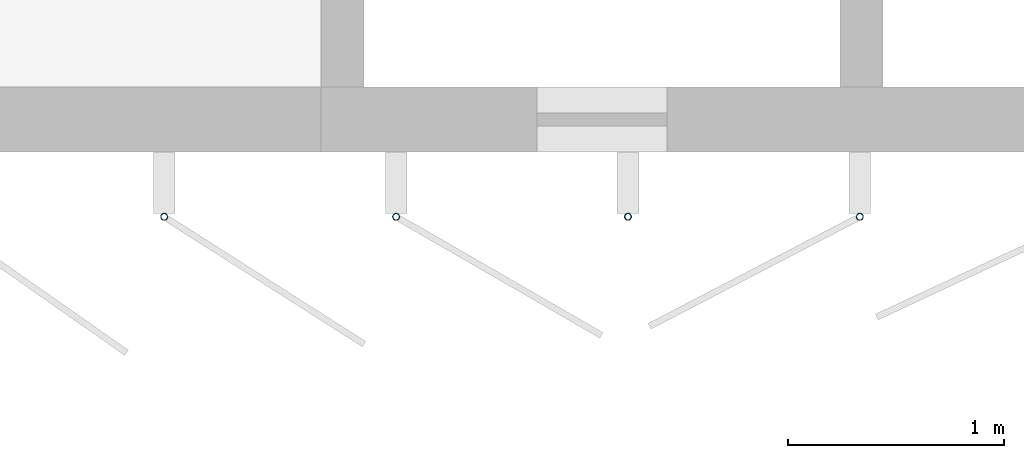
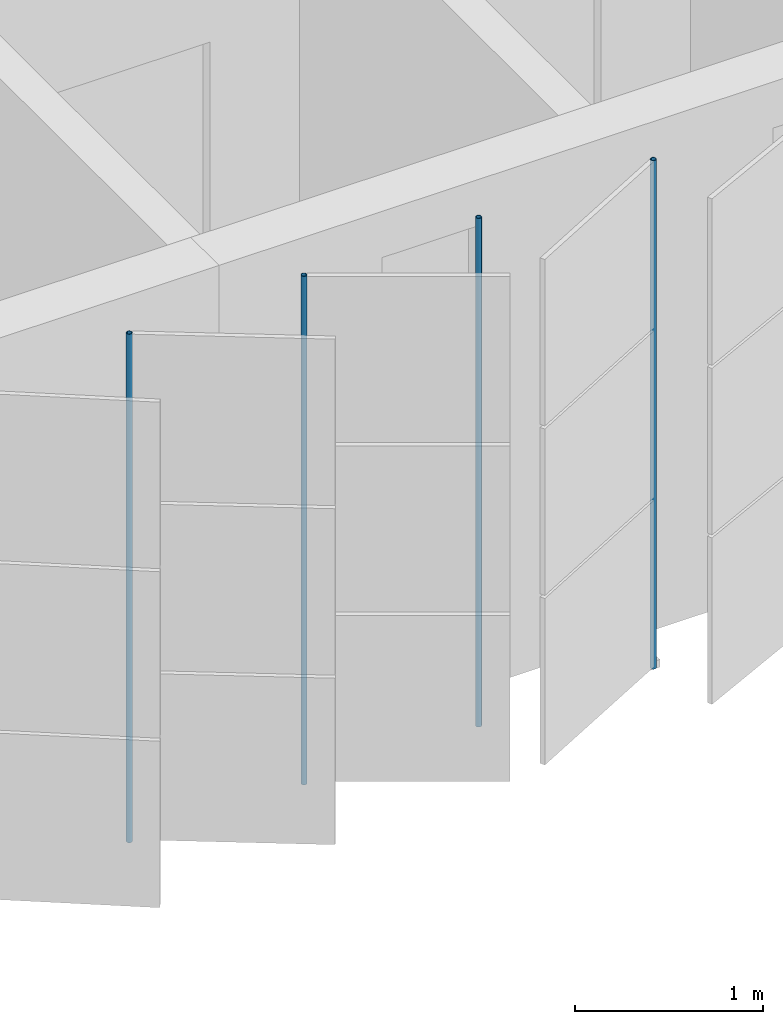
# One storey, part 102 of 214: 4 discrete accessories.
"""IFC4 building model written with IfcOpenShell, lengths in metres."""

from ifc_helpers import new_model, si_unit, direction, frame, origin, origin_2d, place, context, subcontext, project, spatial, hollow_circle, extrude, material, material_profile, profile_set, type_object, element, save


model = new_model("IFC4")

# Units and contexts
model_context = context("Model", 3, precision=1e-05, world=origin(), true_north=direction((0.0, 1.0)))
body_context = subcontext(model_context, "Body", "Model", "MODEL_VIEW")
ifc_project = project(units=[si_unit("LENGTHUNIT", "METRE"), si_unit("AREAUNIT", "SQUARE_METRE"), si_unit("VOLUMEUNIT", "CUBIC_METRE"), si_unit("PLANEANGLEUNIT", "RADIAN"), si_unit("MASSUNIT", "GRAM", prefix="KILO")], contexts=[model_context])

# Site, building, storey
site_placement = place(None, origin())
site = spatial("IfcSite", under=ifc_project, at=site_placement, CompositionType="ELEMENT")
building_placement = place(site_placement, origin())
building = spatial("IfcBuilding", under=site, at=building_placement, Name="Parallax Yard Mobility Hub", CompositionType="ELEMENT")
storey_placement = place(building_placement, frame((0.0, 0.0, 3.300048828125)))
storey = spatial("IfcBuildingStorey", under=building, at=storey_placement, Name="L01", CompositionType="ELEMENT", Elevation=3.300048828125)

# Discrete accessories
ifc_material = material(Name="Steel ASTM A500 Gr C, hot-dip galvanised", Category="steel")
ifc_material_profile = material_profile(ifc_material, hollow_circle(Radius=0.016845703125, WallThickness=0.003173828125, at=origin_2d()), Name="CHS 33.7x3.2")
ifc_profile_set = profile_set([ifc_material_profile], Name="Steel ASTM A500 Gr C, hot-dip galvanised")
discrete_accessory_type = type_object("IfcDiscreteAccessoryType", Name="Hinge post CHS 33.7x3.2", PredefinedType="BRACKET", material=ifc_profile_set)
for number, where, z_axis, x_axis, name in (
    (1, (131.77587890625, 112.199951171875, 0.0), (0.0, 0.0, 1.0), (1.0, 0.0, 0.0), "Hinge post bay 13.5 level L01"),
    (2, (132.84814453125, 112.199951171875, 0.0), (0.0, 0.0, 1.0), (1.0, 0.0, 0.0), "Hinge post bay 13.6 level L01"),
    (3, (133.92041015625, 112.199951171875, 0.0), (0.0, 0.0, 1.0), (1.0, 0.0, 0.0), "Hinge post bay 13.7 level L01"),
    (4, (134.992431640625, 112.199951171875, 0.0), (0.0, 0.0, 1.0), (1.0, 0.0, 0.0), "Hinge post bay 13.8 level L01"),
):
    element("IfcDiscreteAccessory", number, at=place(storey_placement, frame(where, z_axis=z_axis, x_axis=x_axis)), inside=storey, type_object=discrete_accessory_type, Name=name, PredefinedType="BRACKET", context=body_context, shape_type="SweptSolid", body=[
        extrude(hollow_circle(Radius=0.016845703125, WallThickness=0.003173828125, at=origin_2d()), origin(), (0.0, 0.0, 1.0), 3.300048828125),
    ])

save(model, "model.ifc")
